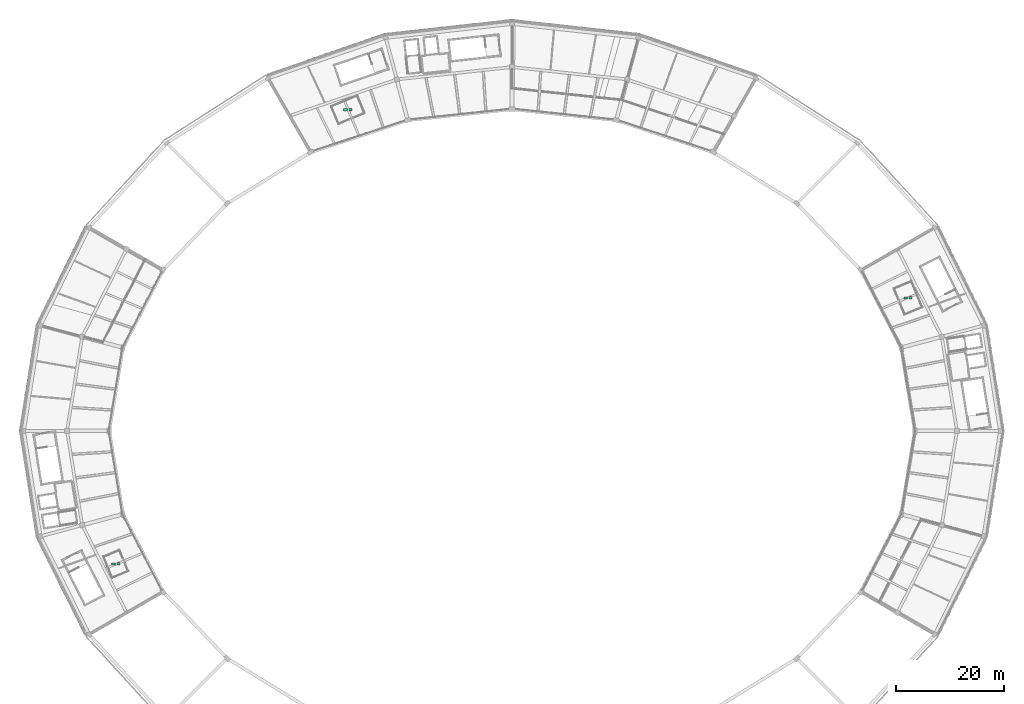
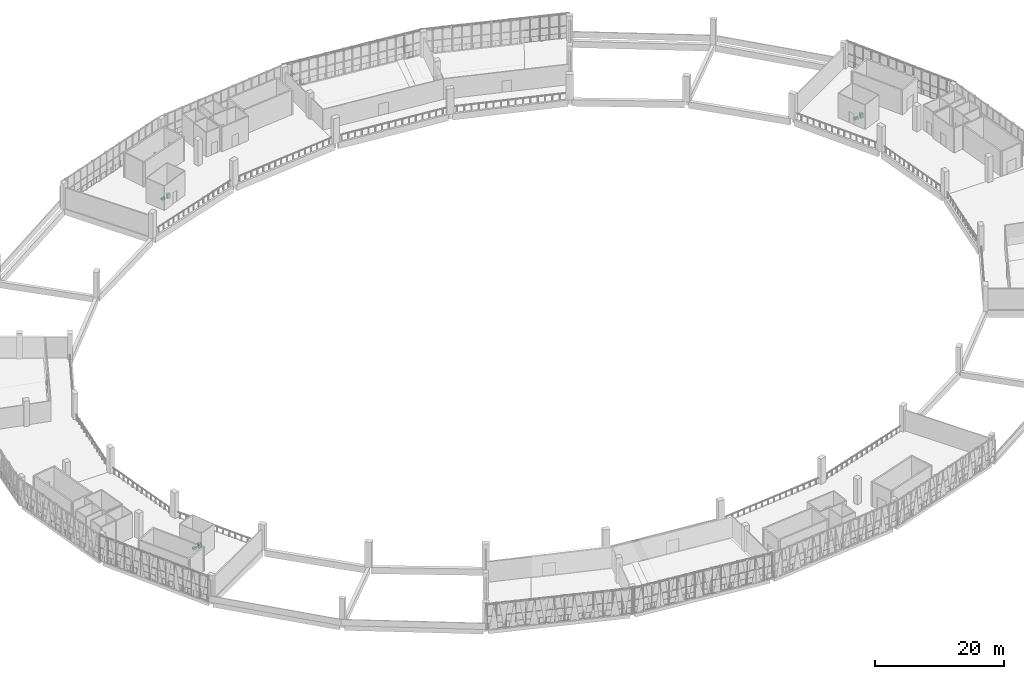
# One storey, part 64 of 64: 6 sanitary terminals.
"""IFC4 building model written with IfcOpenShell, lengths in metres."""

from ifc_helpers import new_model, si_unit, direction, frame, origin, origin_2d, place, context, subcontext, project, spatial, rectangle, extrude, material, type_object, element, save


model = new_model("IFC4")

# Units and contexts
model_context = context("Model", 3, precision=1e-05, world=origin(), true_north=direction((0.0, 1.0)))
body_context = subcontext(model_context, "Body", "Model", "MODEL_VIEW")
ifc_project = project(units=[si_unit("LENGTHUNIT", "METRE"), si_unit("AREAUNIT", "SQUARE_METRE"), si_unit("VOLUMEUNIT", "CUBIC_METRE"), si_unit("PLANEANGLEUNIT", "RADIAN"), si_unit("MASSUNIT", "GRAM", prefix="KILO")], contexts=[model_context])

# Site, building, storey
site_placement = place(None, origin())
site = spatial("IfcSite", under=ifc_project, at=site_placement, CompositionType="ELEMENT")
building_placement = place(site_placement, origin())
building = spatial("IfcBuilding", under=site, at=building_placement, Name="Zevraka Park Crest Stadium", CompositionType="ELEMENT")
storey_placement = place(building_placement, frame((0.0, 0.0, 24.60009765625)))
storey = spatial("IfcBuildingStorey", under=building, at=storey_placement, Name="L05", CompositionType="ELEMENT", Elevation=24.60009765625)

# Sanitary terminals
ifc_material_1 = material(Name="Vitreous china sanitaryware", Category="other")
sanitary_terminal_type_1 = type_object("IfcSanitaryTerminalType", Name="SAN02", PredefinedType="WASHHANDBASIN", material=ifc_material_1)
for number, where, z_axis, x_axis, name in (
    (1, (185.712890625, 116.60693359375, -0.000244140625), (0.0, 0.0, 1.0), (1.0, 0.0, 0.0), "Washhand Basin L05-001"),
    (2, (82.10302734375, 151.406005859375, -0.000244140625), (0.0, 0.0, 1.0), (1.0, 0.0, 0.0), "Washhand Basin L05-002"),
    (3, (39.18701171875, 67.39306640625, -0.000244140625), (0.0, 0.0, 1.0), (1.0, 0.0, 0.0), "Washhand Basin L05-003"),
):
    element("IfcSanitaryTerminal", number, at=place(storey_placement, frame(where, z_axis=z_axis, x_axis=x_axis)), inside=storey, type_object=sanitary_terminal_type_1, Name=name, PredefinedType="WASHHANDBASIN", context=body_context, shape_type="SweptSolid", body=[
        extrude(rectangle(XDim=0.550048828125, YDim=0.449951171875, at=origin_2d()), origin(), (0.0, 0.0, 1.0), 0.85009765625),
    ])
ifc_material_2 = material(Name="Vitreous china sanitaryware", Category="other")
sanitary_terminal_type_2 = type_object("IfcSanitaryTerminalType", Name="WC01", PredefinedType="TOILETPAN", material=ifc_material_2)
for number, where, z_axis, x_axis, name in (
    (4, (184.81396484375, 116.60693359375, 0.0), (0.0, 0.0, 1.0), (1.0, 0.0, 0.0), "WC Pan L05-001"),
    (5, (81.202880859375, 151.406005859375, 0.0), (0.0, 0.0, 1.0), (1.0, 0.0, 0.0), "WC Pan L05-002"),
    (6, (38.287109375, 67.39306640625, 0.0), (0.0, 0.0, 1.0), (1.0, 0.0, 0.0), "WC Pan L05-003"),
):
    element("IfcSanitaryTerminal", number, at=place(storey_placement, frame(where, z_axis=z_axis, x_axis=x_axis)), inside=storey, type_object=sanitary_terminal_type_2, Name=name, PredefinedType="TOILETPAN", context=body_context, shape_type="SweptSolid", body=[
        extrude(rectangle(XDim=0.679931640625, YDim=0.3798828125, at=origin_2d()), origin(), (0.0, 0.0, 1.0), 0.419921875),
    ])

save(model, "model.ifc")
